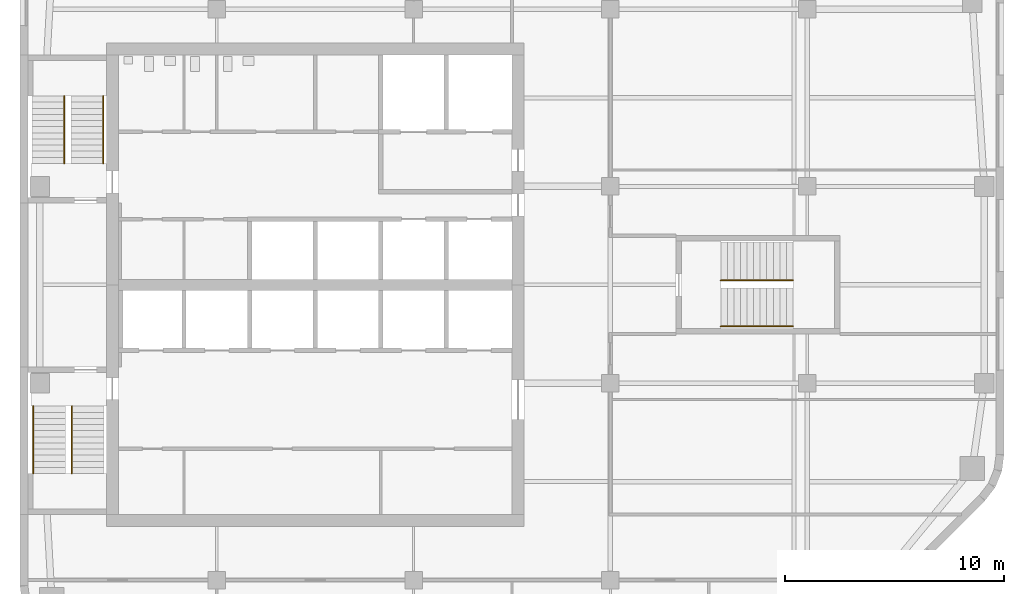
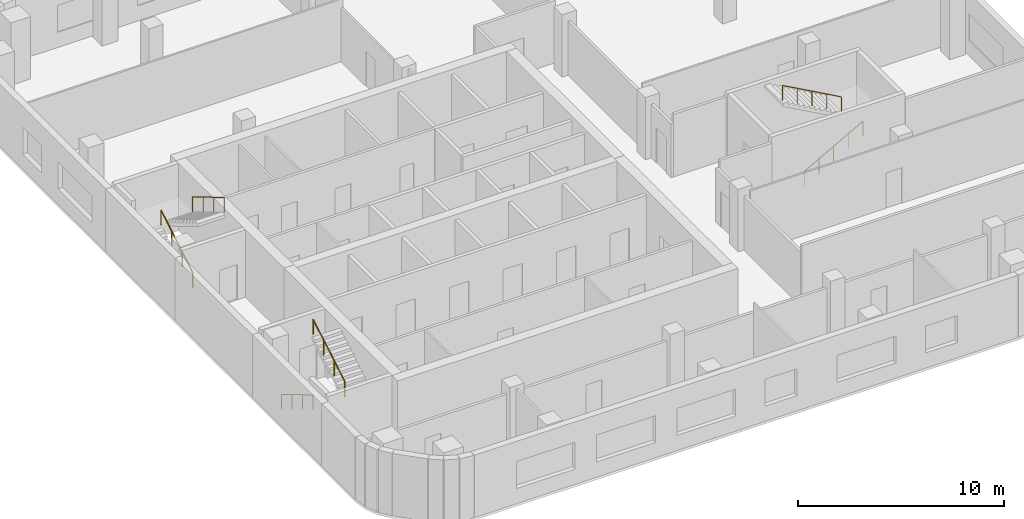
# One storey, part 7 of 8: 6 railings, 3 elements without a shape of their own.
"""IFC4 building model written with IfcOpenShell, lengths in metres."""

from ifc_helpers import new_model, si_unit, direction, frame, origin, origin_2d, place, context, subcontext, project, spatial, circle, extrude, material, type_object, element, aggregate, save


model = new_model("IFC4")

# Units and contexts
model_context = context("Model", 3, precision=1e-05, world=origin(), true_north=direction((0.0, 1.0)))
body_context = subcontext(model_context, "Body", "Model", "MODEL_VIEW")
ifc_project = project(units=[si_unit("LENGTHUNIT", "METRE"), si_unit("AREAUNIT", "SQUARE_METRE"), si_unit("VOLUMEUNIT", "CUBIC_METRE"), si_unit("PLANEANGLEUNIT", "RADIAN"), si_unit("MASSUNIT", "GRAM", prefix="KILO")], contexts=[model_context])

# Site, building, storey
site_placement = place(None, origin())
site = spatial("IfcSite", under=ifc_project, at=site_placement, CompositionType="ELEMENT")
building_placement = place(site_placement, origin())
building = spatial("IfcBuilding", under=site, at=building_placement, Name="Cinnabar Reach Civic Tower", CompositionType="ELEMENT")
storey_placement = place(building_placement, frame((0.0, 0.0, 238.0)))
storey = spatial("IfcBuildingStorey", under=building, at=storey_placement, Name="L57", CompositionType="ELEMENT", Elevation=238.0)

# Stair, railings
ifc_material_1 = material(Name="Concrete C40/50", Category="concrete")
stair_type = type_object("IfcStairType", Name="T1 Exit stair, half-turn", PredefinedType="HALF_TURN_STAIR", material=ifc_material_1)
stair_1_placement = place(storey_placement, origin())
stair_1 = element("IfcStair", 1, at=stair_1_placement, inside=storey, type_object=stair_type, Name="Stair T1-S1", PredefinedType="HALF_TURN_STAIR")
ifc_material_2 = material(Name="Stainless steel tube", Category="steel")
railing_type = type_object("IfcRailingType", Name="T1 Stair handrail, stainless tube 48", PredefinedType="HANDRAIL", material=ifc_material_2)
railing_1_placement = place(storey_placement, frame((0.6, 25.95, 0.1667)))
railing_1 = element("IfcRailing", 2, at=railing_1_placement, type_object=railing_type, Name="T1-S1 handrail 1", PredefinedType="HANDRAIL", context=body_context, shape_type="SweptSolid", body=[
    extrude(circle(Radius=0.024, at=origin_2d()), frame((0.0, 0.0, 0.876), z_axis=(0.0, -0.859296971757, 0.511476992962), x_axis=(1.0, 0.0, 0.0)), (0.0, 0.0, 1.0), 3.5843),
    extrude(circle(Radius=0.021, at=origin_2d()), origin(), (0.0, 0.0, 1.0), 0.852),
    extrude(circle(Radius=0.021, at=origin_2d()), frame((0.0, -1.0267, 0.6111)), (0.0, 0.0, 1.0), 0.852),
    extrude(circle(Radius=0.021, at=origin_2d()), frame((0.0, -2.0533, 1.2222)), (0.0, 0.0, 1.0), 0.852),
    extrude(circle(Radius=0.021, at=origin_2d()), frame((0.0, -3.08, 1.8333)), (0.0, 0.0, 1.0), 0.852),
])
railing_2_placement = place(storey_placement, frame((2.375, 22.87, 2.1667)))
railing_2 = element("IfcRailing", 3, at=railing_2_placement, type_object=railing_type, Name="T1-S1 handrail 2", PredefinedType="HANDRAIL", context=body_context, shape_type="SweptSolid", body=[
    extrude(circle(Radius=0.024, at=origin_2d()), frame((0.0, 0.0, 0.876), z_axis=(0.0, 0.859296971757, 0.511476992962), x_axis=(-1.0, 0.0, 0.0)), (0.0, 0.0, 1.0), 3.5843),
    extrude(circle(Radius=0.021, at=origin_2d()), origin(), (0.0, 0.0, 1.0), 0.852),
    extrude(circle(Radius=0.021, at=origin_2d()), frame((0.0, 1.0267, 0.6111)), (0.0, 0.0, 1.0), 0.852),
    extrude(circle(Radius=0.021, at=origin_2d()), frame((0.0, 2.0533, 1.2222)), (0.0, 0.0, 1.0), 0.852),
    extrude(circle(Radius=0.021, at=origin_2d()), frame((0.0, 3.08, 1.8333)), (0.0, 0.0, 1.0), 0.852),
])
aggregate(stair_1, [railing_1, railing_2])

stair_2_placement = place(storey_placement, origin())
stair_2 = element("IfcStair", 4, at=stair_2_placement, inside=storey, type_object=stair_type, Name="Stair T1-S2", PredefinedType="HALF_TURN_STAIR")
railing_3_placement = place(storey_placement, frame((2.025, 37.05, 0.1667)))
railing_3 = element("IfcRailing", 5, at=railing_3_placement, type_object=railing_type, Name="T1-S2 handrail 1", PredefinedType="HANDRAIL", context=body_context, shape_type="SweptSolid", body=[
    extrude(circle(Radius=0.024, at=origin_2d()), frame((0.0, 0.0, 0.876), z_axis=(0.0, 0.859296971757, 0.511476992962), x_axis=(-1.0, 0.0, 0.0)), (0.0, 0.0, 1.0), 3.5843),
    extrude(circle(Radius=0.021, at=origin_2d()), origin(), (0.0, 0.0, 1.0), 0.852),
    extrude(circle(Radius=0.021, at=origin_2d()), frame((0.0, 1.0267, 0.6111)), (0.0, 0.0, 1.0), 0.852),
    extrude(circle(Radius=0.021, at=origin_2d()), frame((0.0, 2.0533, 1.2222)), (0.0, 0.0, 1.0), 0.852),
    extrude(circle(Radius=0.021, at=origin_2d()), frame((0.0, 3.08, 1.8333)), (0.0, 0.0, 1.0), 0.852),
])
railing_4_placement = place(storey_placement, frame((3.8, 40.13, 2.1667)))
railing_4 = element("IfcRailing", 6, at=railing_4_placement, type_object=railing_type, Name="T1-S2 handrail 2", PredefinedType="HANDRAIL", context=body_context, shape_type="SweptSolid", body=[
    extrude(circle(Radius=0.024, at=origin_2d()), frame((0.0, 0.0, 0.876), z_axis=(0.0, -0.859296971757, 0.511476992962), x_axis=(1.0, 0.0, 0.0)), (0.0, 0.0, 1.0), 3.5843),
    extrude(circle(Radius=0.021, at=origin_2d()), origin(), (0.0, 0.0, 1.0), 0.852),
    extrude(circle(Radius=0.021, at=origin_2d()), frame((0.0, -1.0267, 0.6111)), (0.0, 0.0, 1.0), 0.852),
    extrude(circle(Radius=0.021, at=origin_2d()), frame((0.0, -2.0533, 1.2222)), (0.0, 0.0, 1.0), 0.852),
    extrude(circle(Radius=0.021, at=origin_2d()), frame((0.0, -3.08, 1.8333)), (0.0, 0.0, 1.0), 0.852),
])
aggregate(stair_2, [railing_3, railing_4])

stair_3_placement = place(storey_placement, origin())
stair_3 = element("IfcStair", 7, at=stair_3_placement, inside=storey, type_object=stair_type, Name="Stair T1-S3", PredefinedType="HALF_TURN_STAIR")
railing_5_placement = place(storey_placement, frame((32.05, 29.6, 0.1667)))
railing_5 = element("IfcRailing", 8, at=railing_5_placement, type_object=railing_type, Name="T1-S3 handrail 1", PredefinedType="HANDRAIL", context=body_context, shape_type="SweptSolid", body=[
    extrude(circle(Radius=0.024, at=origin_2d()), frame((0.0, 0.0, 0.876), z_axis=(0.874161024642, 0.0, 0.485636183781), x_axis=(0.0, 1.0, 0.0)), (0.0, 0.0, 1.0), 3.775),
    extrude(circle(Radius=0.021, at=origin_2d()), origin(), (0.0, 0.0, 1.0), 0.852),
    extrude(circle(Radius=0.021, at=origin_2d()), frame((0.825, 0.0, 0.4583)), (0.0, 0.0, 1.0), 0.852),
    extrude(circle(Radius=0.021, at=origin_2d()), frame((1.65, 0.0, 0.9167)), (0.0, 0.0, 1.0), 0.852),
    extrude(circle(Radius=0.021, at=origin_2d()), frame((2.475, 0.0, 1.375)), (0.0, 0.0, 1.0), 0.852),
    extrude(circle(Radius=0.021, at=origin_2d()), frame((3.3, 0.0, 1.8333)), (0.0, 0.0, 1.0), 0.852),
])
railing_6_placement = place(storey_placement, frame((35.35, 31.7, 2.1667)))
railing_6 = element("IfcRailing", 9, at=railing_6_placement, type_object=railing_type, Name="T1-S3 handrail 2", PredefinedType="HANDRAIL", context=body_context, shape_type="SweptSolid", body=[
    extrude(circle(Radius=0.024, at=origin_2d()), frame((0.0, 0.0, 0.876), z_axis=(-0.874161024642, 0.0, 0.485636183781), x_axis=(0.0, -1.0, 0.0)), (0.0, 0.0, 1.0), 3.775),
    extrude(circle(Radius=0.021, at=origin_2d()), origin(), (0.0, 0.0, 1.0), 0.852),
    extrude(circle(Radius=0.021, at=origin_2d()), frame((-0.825, 0.0, 0.4583)), (0.0, 0.0, 1.0), 0.852),
    extrude(circle(Radius=0.021, at=origin_2d()), frame((-1.65, 0.0, 0.9167)), (0.0, 0.0, 1.0), 0.852),
    extrude(circle(Radius=0.021, at=origin_2d()), frame((-2.475, 0.0, 1.375)), (0.0, 0.0, 1.0), 0.852),
    extrude(circle(Radius=0.021, at=origin_2d()), frame((-3.3, 0.0, 1.8333)), (0.0, 0.0, 1.0), 0.852),
])
aggregate(stair_3, [railing_5, railing_6])

save(model, "model.ifc")
